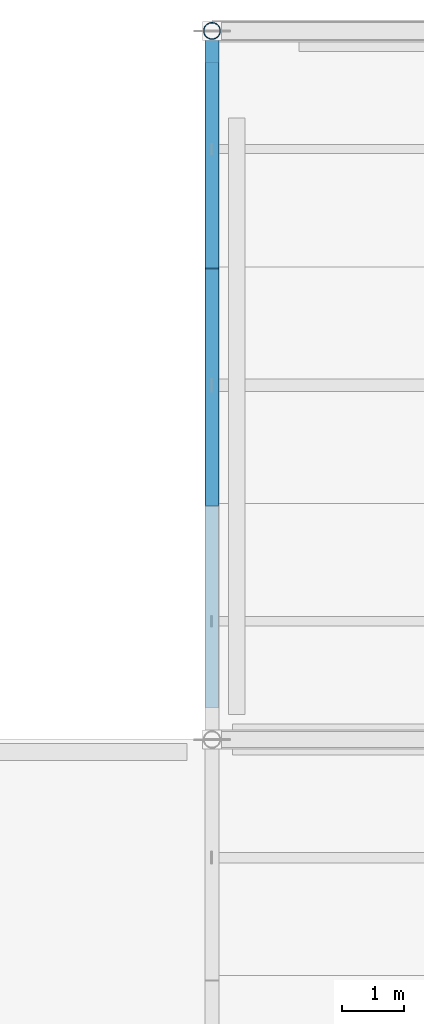
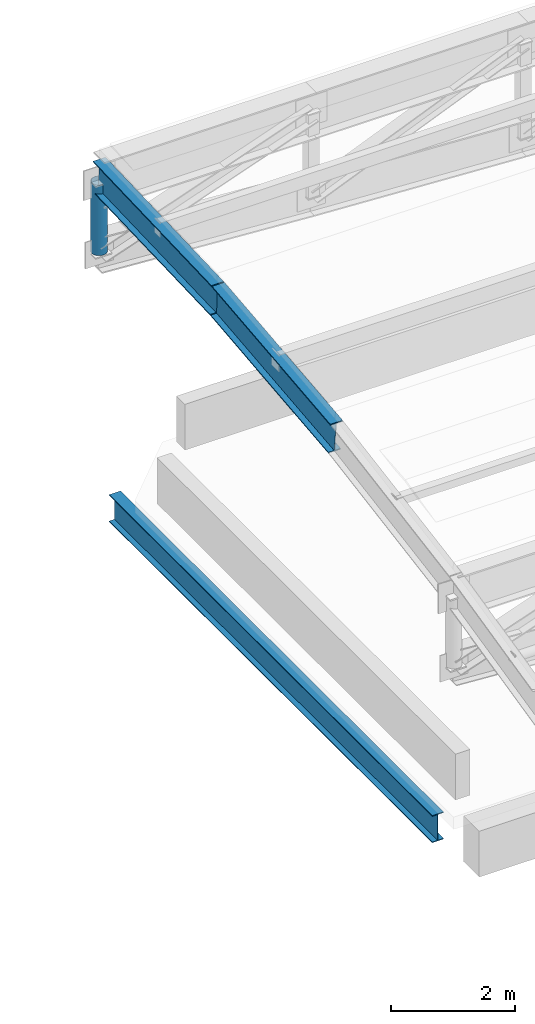
# One storey, part 6 of 65: 3 members, 1 beam.
"""IFC4 building model written with IfcOpenShell, lengths in metres."""

from ifc_helpers import new_model, si_unit, direction, frame, origin, origin_2d, place, context, subcontext, project, spatial, hollow_circle, i_section, extrude, material, material_profile, profile_set, type_object, element, save


model = new_model("IFC4")

# Units and contexts
model_context = context("Model", 3, precision=1e-05, world=origin(), true_north=direction((0.0, 1.0)))
body_context = subcontext(model_context, "Body", "Model", "MODEL_VIEW")
ifc_project = project(units=[si_unit("LENGTHUNIT", "METRE"), si_unit("AREAUNIT", "SQUARE_METRE"), si_unit("VOLUMEUNIT", "CUBIC_METRE"), si_unit("PLANEANGLEUNIT", "RADIAN"), si_unit("MASSUNIT", "GRAM", prefix="KILO"), si_unit("POWERUNIT", "WATT"), si_unit("THERMODYNAMICTEMPERATUREUNIT", "KELVIN")], contexts=[model_context])

# Site, building, storey
site_placement = place(None, origin())
site = spatial("IfcSite", under=ifc_project, at=site_placement, CompositionType="ELEMENT")
building_placement = place(site_placement, origin())
building = spatial("IfcBuilding", under=site, at=building_placement, Name="Kelmbourne Parkland Aquatics Centre", CompositionType="ELEMENT")
storey_placement = place(building_placement, frame((0.0, 0.0, 27.0)))
storey = spatial("IfcBuildingStorey", under=building, at=storey_placement, Name="RF", CompositionType="ELEMENT", Elevation=27.0)

# Beam
ifc_material_1 = material(Name="Structural steel AS/NZS 3679.1 Grade 300", Category="steel")
ifc_material_profile_1 = material_profile(ifc_material_1, i_section(OverallWidth=0.208984375, OverallDepth=0.532958984375, WebThickness=0.01025390625, FlangeThickness=0.015625, at=origin_2d()), Name="530UB92.4")
ifc_profile_set_1 = profile_set([ifc_material_profile_1], Name="Structural steel AS/NZS 3679.1 Grade 300")
beam_type = type_object("IfcBeamType", Name="BM-SP02", PredefinedType="SPANDREL", material=ifc_profile_set_1)
beam_placement = place(storey_placement, frame((128.0, 103.905029296875, -4.906494140625), z_axis=(0.0, 1.0, 0.0), x_axis=(-1.0, 0.0, 0.0)))
element("IfcBeam", 1, at=beam_placement, inside=storey, type_object=beam_type, Name="Perimeter spandrel 13-14 Grid P (RF_V2)", PredefinedType="SPANDREL", context=body_context, shape_type="SweptSolid", body=[
    extrude(i_section(OverallWidth=0.208984375, OverallDepth=0.532958984375, WebThickness=0.01025390625, FlangeThickness=0.015625, at=origin_2d()), origin(), (0.0, 0.0, 1.0), 10.389892578125),
])

# Members
ifc_material_profile_2 = material_profile(ifc_material_1, i_section(OverallWidth=0.22900390625, OverallDepth=0.612060546875, WebThickness=0.011962890625, FlangeThickness=0.01953125, at=origin_2d()), Name="610UB125")
ifc_profile_set_2 = profile_set([ifc_material_profile_2], Name="Structural steel AS/NZS 3679.1 Grade 300")
member_type_1 = type_object("IfcMemberType", Name="MB-LRIB", PredefinedType="STRUT", material=ifc_profile_set_2)
member_1_placement = place(storey_placement, frame((128.0, 107.199951171875, 0.759521484375), z_axis=(0.0, 0.994394631205, 0.105732291336), x_axis=(-1.0, 0.0, 0.0)))
element("IfcMember", 2, at=member_1_placement, inside=storey, type_object=member_type_1, Name="Longitudinal wave rib K0 strip 29", PredefinedType="STRUT", context=body_context, shape_type="SweptSolid", body=[
    extrude(i_section(OverallWidth=0.22900390625, OverallDepth=0.612060546875, WebThickness=0.011962890625, FlangeThickness=0.01953125, at=origin_2d()), origin(), (0.0, 0.0, 1.0), 3.821533203125),
])
member_2_placement = place(storey_placement, frame((128.0, 111.0, 1.16357421875), z_axis=(0.0, 0.999355718738, 0.035890770753), x_axis=(-1.0, 0.0, 0.0)))
element("IfcMember", 3, at=member_2_placement, inside=storey, type_object=member_type_1, Name="Longitudinal wave rib K0 strip 30", PredefinedType="STRUT", context=body_context, shape_type="SweptSolid", body=[
    extrude(i_section(OverallWidth=0.22900390625, OverallDepth=0.612060546875, WebThickness=0.011962890625, FlangeThickness=0.01953125, at=origin_2d()), origin(), (0.0, 0.0, 1.0), 3.802490234375),
])
ifc_material_2 = material(Name="Cold-formed hollow steel AS/NZS 1163 C350L0", Category="steel")
ifc_material_profile_3 = material_profile(ifc_material_2, hollow_circle(Radius=0.136474609375, WallThickness=0.00927734375, at=origin_2d()), Name="CHS 273.1x9.3")
ifc_profile_set_3 = profile_set([ifc_material_profile_3], Name="Cold-formed hollow steel AS/NZS 1163 C350L0")
member_type_2 = type_object("IfcMemberType", Name="MB-POST2", PredefinedType="STRUT", material=ifc_profile_set_3)
member_3_placement = place(storey_placement, frame((128.0, 114.800048828125, -0.199951171875), z_axis=(0.0, 0.0, 1.0), x_axis=(1.0, 0.0, 0.0)))
element("IfcMember", 4, at=member_3_placement, inside=storey, type_object=member_type_2, Name="Roof truss R10 vertical post 0", PredefinedType="STRUT", context=body_context, shape_type="SweptSolid", body=[
    extrude(hollow_circle(Radius=0.136474609375, WallThickness=0.00927734375, at=origin_2d()), origin(), (0.0, 0.0, 1.0), 1.3798828125),
])

save(model, "model.ifc")
